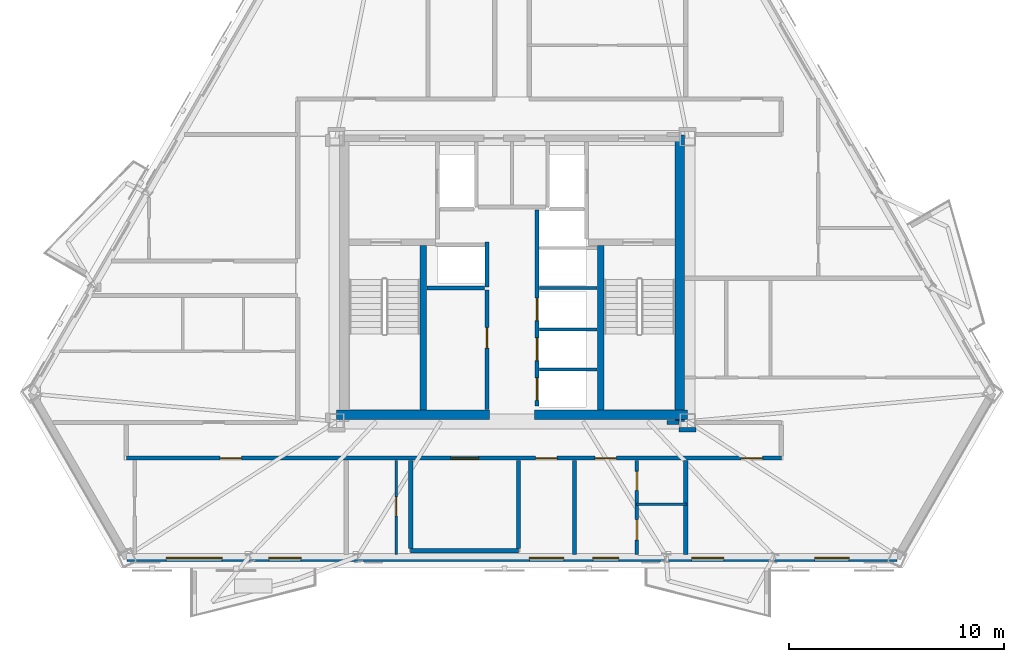
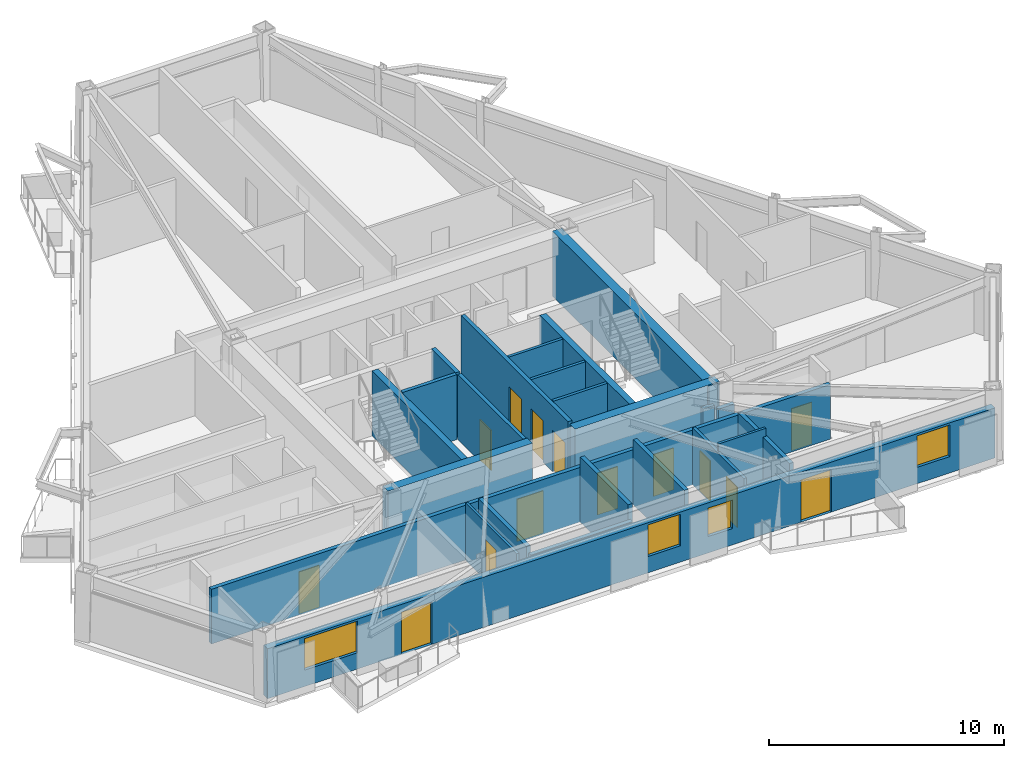
# One storey, part 3 of 9: 24 walls, 14 doors, 4 windows, 18 openings.
"""IFC4 building model written with IfcOpenShell, lengths in metres."""

from ifc_helpers import new_model, si_unit, direction, frame, frame_2d, origin, place, context, subcontext, project, spatial, rectangle, extrude, material, layer, layer_set, type_object, element, fill, save


model = new_model("IFC4")

# Units and contexts
model_context = context("Model", 3, precision=1e-05, world=origin(), true_north=direction((0.0, 1.0)))
body_context = subcontext(model_context, "Body", "Model", "MODEL_VIEW")
ifc_project = project(units=[si_unit("LENGTHUNIT", "METRE"), si_unit("AREAUNIT", "SQUARE_METRE"), si_unit("VOLUMEUNIT", "CUBIC_METRE"), si_unit("PLANEANGLEUNIT", "RADIAN"), si_unit("MASSUNIT", "GRAM", prefix="KILO")], contexts=[model_context])

# Site, building, storey
site_placement = place(None, origin())
site = spatial("IfcSite", under=ifc_project, at=site_placement, CompositionType="ELEMENT")
building_placement = place(site_placement, origin())
building = spatial("IfcBuilding", under=site, at=building_placement, Name="Oramaril Tower", CompositionType="ELEMENT")
storey_placement = place(building_placement, frame((0.0, 0.0, 163.800048828125)))
storey = spatial("IfcBuildingStorey", under=building, at=storey_placement, Name="L43", CompositionType="ELEMENT", Elevation=163.800048828125)

# Wall, openings, doors, windows
ifc_material_1 = material(Name="Warm Cream Limestone", Category="masonry")
ifc_layer_1 = layer(ifc_material_1, 0.340087890625)
ifc_layer_set_1 = layer_set([ifc_layer_1], Name="WT-EXT34")
wall_type_1 = type_object("IfcWallType", Name="WT-EXT34", PredefinedType="SOLIDWALL", material=ifc_layer_set_1)
wall_1_placement = place(storey_placement, frame((19.631103515625, 4.662109375, 0.0), z_axis=(0.0, 0.0, 1.0), x_axis=(1.0, 0.0, 0.0)))
wall_1 = element("IfcWall", 1, at=wall_1_placement, inside=storey, type_object=wall_type_1, Name="L43 Tower Limestone Facade Wall 2M", PredefinedType="SOLIDWALL", context=body_context, shape_type="SweptSolid", body=[
    extrude(rectangle(XDim=35.73779296875, YDim=0.340087890625, at=frame_2d((17.868896484375, 0.0))), origin(), (0.0, 0.0, 1.0), 2.599853515625),
])
opening_1_placement = place(wall_1_placement, frame((6.579345703125, 0.0, 0.0)))
opening_1 = element("IfcOpeningElement", 2, at=opening_1_placement, cuts=wall_1, Name="Opening D-L43-BAL-S1", PredefinedType="OPENING", context=body_context, shape_type="SweptSolid", body=[
    extrude(rectangle(XDim=1.5, YDim=2.199951171875, at=frame_2d((0.75, 1.10009765625))), frame((0.0, 0.169921875, 0.0), z_axis=(0.0, -1.0, 0.0), x_axis=(1.0, 0.0, 0.0)), (0.0, 0.0, 1.0), 0.340087890625),
])
opening_2_placement = place(wall_1_placement, frame((26.20361328125, 0.0, 0.0)))
opening_2 = element("IfcOpeningElement", 3, at=opening_2_placement, cuts=wall_1, Name="Opening D-L43-BAL-S2", PredefinedType="OPENING", context=body_context, shape_type="SweptSolid", body=[
    extrude(rectangle(XDim=1.5, YDim=2.199951171875, at=frame_2d((0.75, 1.10009765625))), frame((0.0, 0.169921875, 0.0), z_axis=(0.0, -1.0, 0.0), x_axis=(1.0, 0.0, 0.0)), (0.0, 0.0, 1.0), 0.340087890625),
])
opening_3_placement = place(wall_1_placement, frame((1.81787109375, 0.0, 0.85009765625)))
opening_3 = element("IfcOpeningElement", 4, at=opening_3_placement, cuts=wall_1, Name="Opening WN-02", PredefinedType="OPENING", context=body_context, shape_type="SweptSolid", body=[
    extrude(rectangle(XDim=2.60009765625, YDim=1.639892578125, at=frame_2d((1.300048828125, 0.81982421875))), frame((0.0, 0.169921875, 0.0), z_axis=(0.0, -1.0, 0.0), x_axis=(1.0, 0.0, 0.0)), (0.0, 0.0, 1.0), 0.340087890625),
])
opening_4_placement = place(wall_1_placement, frame((18.677978515625, 0.0, 0.85009765625)))
opening_4 = element("IfcOpeningElement", 5, at=opening_4_placement, cuts=wall_1, Name="Opening WN-07", PredefinedType="OPENING", context=body_context, shape_type="SweptSolid", body=[
    extrude(rectangle(XDim=1.60009765625, YDim=1.639892578125, at=frame_2d((0.800048828125, 0.81982421875))), frame((0.0, 0.169921875, 0.0), z_axis=(0.0, -1.0, 0.0), x_axis=(1.0, 0.0, 0.0)), (0.0, 0.0, 1.0), 0.340087890625),
])
opening_5_placement = place(wall_1_placement, frame((31.91015625, 0.0, 0.85009765625)))
opening_5 = element("IfcOpeningElement", 6, at=opening_5_placement, cuts=wall_1, Name="Opening WN-07", PredefinedType="OPENING", context=body_context, shape_type="SweptSolid", body=[
    extrude(rectangle(XDim=1.60009765625, YDim=1.639892578125, at=frame_2d((0.800048828125, 0.81982421875))), frame((0.0, 0.169921875, 0.0), z_axis=(0.0, -1.0, 0.0), x_axis=(1.0, 0.0, 0.0)), (0.0, 0.0, 1.0), 0.340087890625),
])
opening_6_placement = place(wall_1_placement, frame((21.6259765625, 0.0, 0.85009765625)))
opening_6 = element("IfcOpeningElement", 7, at=opening_6_placement, cuts=wall_1, Name="Opening WN-09", PredefinedType="OPENING", context=body_context, shape_type="SweptSolid", body=[
    extrude(rectangle(XDim=1.199951171875, YDim=1.47998046875, at=frame_2d((0.60009765625, 0.739990234375))), frame((0.0, 0.169921875, 0.0), z_axis=(0.0, -1.0, 0.0), x_axis=(1.0, 0.0, 0.0)), (0.0, 0.0, 1.0), 0.340087890625),
])
ifc_material_2 = material(Name="Anodised Aluminium 6063-T6", Category="aluminium")
door_type_1 = type_object("IfcDoorType", Name="DT-BAL", OperationType="NOTDEFINED", PredefinedType="DOOR", material=ifc_material_2)
door_1_placement = place(opening_1_placement, origin())
door_1 = element("IfcDoor", 8, at=door_1_placement, inside=storey, type_object=door_type_1, Name="L43 Balcony Glazed Door L43-BAL-S1", OperationType="SINGLE_SWING_RIGHT", OverallHeight=2.199951171875, OverallWidth=1.5, PredefinedType="DOOR", context=body_context, shape_type="SweptSolid", body=[
    extrude(rectangle(XDim=1.5, YDim=2.199951171875, at=frame_2d((0.75, 1.10009765625))), frame((0.0, 0.02490234375, 0.0), z_axis=(0.0, -1.0, 0.0), x_axis=(1.0, 0.0, 0.0)), (0.0, 0.0, 1.0), 0.050048828125),
])
fill(opening_1, door_1)
door_2_placement = place(opening_2_placement, origin())
door_2 = element("IfcDoor", 9, at=door_2_placement, inside=storey, type_object=door_type_1, Name="L43 Balcony Glazed Door L43-BAL-S2", OperationType="SINGLE_SWING_LEFT", OverallHeight=2.199951171875, OverallWidth=1.5, PredefinedType="DOOR", context=body_context, shape_type="SweptSolid", body=[
    extrude(rectangle(XDim=1.5, YDim=2.199951171875, at=frame_2d((0.75, 1.10009765625))), frame((0.0, 0.02490234375, 0.0), z_axis=(0.0, -1.0, 0.0), x_axis=(1.0, 0.0, 0.0)), (0.0, 0.0, 1.0), 0.050048828125),
])
fill(opening_2, door_2)
ifc_material_3 = material(Name="Coastal Low-E Insulated Glass", Category="glass")
window_type_1 = type_object("IfcWindowType", Name="WNT-02", PartitioningType="SINGLE_PANEL", PredefinedType="WINDOW", material=ifc_material_3)
window_1_placement = place(opening_3_placement, origin())
window_1 = element("IfcWindow", 10, at=window_1_placement, inside=storey, type_object=window_type_1, Name="L43 Chicago Bay Window WN-02", OverallHeight=1.639892578125, OverallWidth=2.60009765625, PartitioningType="SINGLE_PANEL", PredefinedType="WINDOW", context=body_context, shape_type="SweptSolid", body=[
    extrude(rectangle(XDim=2.60009765625, YDim=1.639892578125, at=frame_2d((1.300048828125, 0.81982421875))), frame((0.0, 0.030029296875, 0.0), z_axis=(0.0, -1.0, 0.0), x_axis=(1.0, 0.0, 0.0)), (0.0, 0.0, 1.0), 0.06005859375),
])
fill(opening_3, window_1)
ifc_material_4 = material(Name="Coastal Low-E Insulated Glass", Category="glass")
window_type_2 = type_object("IfcWindowType", Name="WNT-07", PartitioningType="SINGLE_PANEL", PredefinedType="WINDOW", material=ifc_material_4)
window_2_placement = place(opening_4_placement, origin())
window_2 = element("IfcWindow", 11, at=window_2_placement, inside=storey, type_object=window_type_2, Name="L43 Chicago Bay Window WN-07", OverallHeight=1.639892578125, OverallWidth=1.60009765625, PartitioningType="SINGLE_PANEL", PredefinedType="WINDOW", context=body_context, shape_type="SweptSolid", body=[
    extrude(rectangle(XDim=1.60009765625, YDim=1.639892578125, at=frame_2d((0.800048828125, 0.81982421875))), frame((0.0, 0.030029296875, 0.0), z_axis=(0.0, -1.0, 0.0), x_axis=(1.0, 0.0, 0.0)), (0.0, 0.0, 1.0), 0.06005859375),
])
fill(opening_4, window_2)
window_3_placement = place(opening_5_placement, origin())
window_3 = element("IfcWindow", 12, at=window_3_placement, inside=storey, type_object=window_type_2, Name="L43 Chicago Bay Window WN-07", OverallHeight=1.639892578125, OverallWidth=1.60009765625, PartitioningType="SINGLE_PANEL", PredefinedType="WINDOW", context=body_context, shape_type="SweptSolid", body=[
    extrude(rectangle(XDim=1.60009765625, YDim=1.639892578125, at=frame_2d((0.800048828125, 0.81982421875))), frame((0.0, 0.030029296875, 0.0), z_axis=(0.0, -1.0, 0.0), x_axis=(1.0, 0.0, 0.0)), (0.0, 0.0, 1.0), 0.06005859375),
])
fill(opening_5, window_3)
ifc_material_5 = material(Name="Coastal Low-E Insulated Glass", Category="glass")
window_type_3 = type_object("IfcWindowType", Name="WNT-09", PartitioningType="SINGLE_PANEL", PredefinedType="WINDOW", material=ifc_material_5)
window_4_placement = place(opening_6_placement, origin())
window_4 = element("IfcWindow", 13, at=window_4_placement, inside=storey, type_object=window_type_3, Name="L43 Apartment Bedroom Window WN-09", OverallHeight=1.47998046875, OverallWidth=1.199951171875, PartitioningType="SINGLE_PANEL", PredefinedType="WINDOW", context=body_context, shape_type="SweptSolid", body=[
    extrude(rectangle(XDim=1.199951171875, YDim=1.47998046875, at=frame_2d((0.60009765625, 0.739990234375))), frame((0.0, 0.030029296875, 0.0), z_axis=(0.0, -1.0, 0.0), x_axis=(1.0, 0.0, 0.0)), (0.0, 0.0, 1.0), 0.06005859375),
])
fill(opening_6, window_4)

# Wall
ifc_material_6 = material(Name="Acoustic Gypsum Board Partition")
ifc_layer_2 = layer(ifc_material_6, 0.1201171875)
ifc_layer_set_2 = layer_set([ifc_layer_2], Name="WT-PT12")
wall_type_2 = type_object("IfcWallType", Name="WT-PT12", PredefinedType="PARTITIONING", material=ifc_layer_set_2)
wall_2_placement = place(storey_placement, frame((43.28955078125, 7.14990234375, 0.0), z_axis=(0.0, 0.0, 1.0), x_axis=(1.0, 0.0, 0.0)))
element("IfcWall", 14, at=wall_2_placement, inside=storey, type_object=wall_type_2, Name="L43 Interior Partition PT-12", PredefinedType="PARTITIONING", context=body_context, shape_type="SweptSolid", body=[
    extrude(rectangle(XDim=2.320556640625, YDim=0.1201171875, at=frame_2d((1.16015625, 0.0))), origin(), (0.0, 0.0, 1.0), 3.3798828125),
])

# Wall, opening, door
wall_3_placement = place(storey_placement, frame((32.1298828125, 4.8359375, 0.0), z_axis=(0.0, 0.0, 1.0), x_axis=(0.0, 1.0, 0.0)))
wall_3 = element("IfcWall", 15, at=wall_3_placement, inside=storey, type_object=wall_type_2, Name="L43 Interior Partition PT-12", PredefinedType="PARTITIONING", context=body_context, shape_type="SweptSolid", body=[
    extrude(rectangle(XDim=4.360107421875, YDim=0.1201171875, at=frame_2d((2.18017578125, 0.0))), origin(), (0.0, 0.0, 1.0), 2.966064453125),
])
opening_7_placement = place(wall_3_placement, frame((1.780029296875, 0.0, 0.0)))
opening_7 = element("IfcOpeningElement", 16, at=opening_7_placement, cuts=wall_3, Name="Opening D-L43-22", PredefinedType="OPENING", context=body_context, shape_type="SweptSolid", body=[
    extrude(rectangle(XDim=0.8798828125, YDim=2.080078125, at=frame_2d((0.43994140625, 1.0400390625))), frame((0.0, 0.06005859375, 0.0), z_axis=(0.0, -1.0, 0.0), x_axis=(1.0, 0.0, 0.0)), (0.0, 0.0, 1.0), 0.1201171875),
])
ifc_material_7 = material(Name="FSC Brazilian Freijo Hardwood", Category="wood")
door_type_2 = type_object("IfcDoorType", Name="DT-BATH", OperationType="NOTDEFINED", PredefinedType="DOOR", material=ifc_material_7)
door_3_placement = place(opening_7_placement, origin())
door_3 = element("IfcDoor", 17, at=door_3_placement, inside=storey, type_object=door_type_2, Name="L43 Flat L43-U2 Bathroom Door D-L43-22", OperationType="SINGLE_SWING_RIGHT", OverallHeight=2.080078125, OverallWidth=0.8798828125, PredefinedType="DOOR", context=body_context, shape_type="SweptSolid", body=[
    extrude(rectangle(XDim=0.8798828125, YDim=2.080078125, at=frame_2d((0.43994140625, 1.0400390625))), frame((0.0, 0.02490234375, 0.0), z_axis=(0.0, -1.0, 0.0), x_axis=(1.0, 0.0, 0.0)), (0.0, 0.0, 1.0), 0.050048828125),
])
fill(opening_7, door_3)

# Walls
ifc_material_8 = material(Name="Acoustic Gypsum Board Partition")
ifc_layer_3 = layer(ifc_material_8, 0.139892578125)
ifc_layer_set_3 = layer_set([ifc_layer_3], Name="WT-PT14")
wall_type_3 = type_object("IfcWallType", Name="WT-PT14", PredefinedType="PARTITIONING", material=ifc_layer_set_3)
for number, where, z_axis, x_axis, name in (
    (18, (38.780029296875, 13.419921875, 0.0), (0.0, 0.0, 1.0), (1.0, 0.0, 0.0), "L43 East Lift Divider"),
    (19, (38.780029296875, 15.27001953125, 0.0), (0.0, 0.0, 1.0), (1.0, 0.0, 0.0), "L43 East Lift Divider"),
    (20, (38.780029296875, 17.199951171875, 0.0), (0.0, 0.0, 1.0), (1.0, 0.0, 0.0), "L43 East Lift Divider"),
):
    element("IfcWall", number, at=place(storey_placement, frame(where, z_axis=z_axis, x_axis=x_axis)), inside=storey, type_object=wall_type_3, Name=name, PredefinedType="PARTITIONING", context=body_context, shape_type="SweptSolid", body=[
        extrude(rectangle(XDim=2.659912109375, YDim=0.139892578125, at=frame_2d((1.330078125, 0.0))), origin(), (0.0, 0.0, 1.0), 3.3798828125),
    ])

# Wall, openings, doors
wall_4_placement = place(storey_placement, frame((43.2900390625, 4.8359375, 0.0), z_axis=(0.0, 0.0, 1.0), x_axis=(0.0, 1.0, 0.0)))
wall_4 = element("IfcWall", 21, at=wall_4_placement, inside=storey, type_object=wall_type_3, Name="L43 Interior Partition PT-14", PredefinedType="PARTITIONING", context=body_context, shape_type="SweptSolid", body=[
    extrude(rectangle(XDim=4.360107421875, YDim=0.139892578125, at=frame_2d((2.18017578125, 0.0))), origin(), (0.0, 0.0, 1.0), 2.966064453125),
])
opening_8_placement = place(wall_4_placement, frame((0.653564453125, 0.0, 0.0)))
opening_8 = element("IfcOpeningElement", 22, at=opening_8_placement, cuts=wall_4, Name="Opening D-L43-25", PredefinedType="OPENING", context=body_context, shape_type="SweptSolid", body=[
    extrude(rectangle(XDim=0.949951171875, YDim=2.10009765625, at=frame_2d((0.47509765625, 1.050048828125))), frame((0.0, 0.06982421875, 0.0), z_axis=(0.0, -1.0, 0.0), x_axis=(1.0, 0.0, 0.0)), (0.0, 0.0, 1.0), 0.139892578125),
])
opening_9_placement = place(wall_4_placement, frame((2.96240234375, 0.0, 0.0)))
opening_9 = element("IfcOpeningElement", 23, at=opening_9_placement, cuts=wall_4, Name="Opening D-L43-26", PredefinedType="OPENING", context=body_context, shape_type="SweptSolid", body=[
    extrude(rectangle(XDim=0.8798828125, YDim=2.080078125, at=frame_2d((0.43994140625, 1.0400390625))), frame((0.0, 0.06982421875, 0.0), z_axis=(0.0, -1.0, 0.0), x_axis=(1.0, 0.0, 0.0)), (0.0, 0.0, 1.0), 0.139892578125),
])
door_4_placement = place(opening_9_placement, origin())
door_4 = element("IfcDoor", 24, at=door_4_placement, inside=storey, type_object=door_type_2, Name="L43 Flat L43-U3 Bathroom Door D-L43-26", OperationType="SINGLE_SWING_RIGHT", OverallHeight=2.080078125, OverallWidth=0.8798828125, PredefinedType="DOOR", context=body_context, shape_type="SweptSolid", body=[
    extrude(rectangle(XDim=0.8798828125, YDim=2.080078125, at=frame_2d((0.43994140625, 1.0400390625))), frame((0.0, 0.02490234375, 0.0), z_axis=(0.0, -1.0, 0.0), x_axis=(1.0, 0.0, 0.0)), (0.0, 0.0, 1.0), 0.050048828125),
])
fill(opening_9, door_4)
ifc_material_9 = material(Name="FSC Brazilian Freijo Hardwood", Category="wood")
door_type_3 = type_object("IfcDoorType", Name="DT-STDY", OperationType="NOTDEFINED", PredefinedType="DOOR", material=ifc_material_9)
door_5_placement = place(opening_8_placement, origin())
door_5 = element("IfcDoor", 25, at=door_5_placement, inside=storey, type_object=door_type_3, Name="L43 Flat L43-U3 Kitchen Door D-L43-25", OperationType="SINGLE_SWING_LEFT", OverallHeight=2.10009765625, OverallWidth=0.949951171875, PredefinedType="DOOR", context=body_context, shape_type="SweptSolid", body=[
    extrude(rectangle(XDim=0.949951171875, YDim=2.10009765625, at=frame_2d((0.47509765625, 1.050048828125))), frame((0.0, 0.02490234375, 0.0), z_axis=(0.0, -1.0, 0.0), x_axis=(1.0, 0.0, 0.0)), (0.0, 0.0, 1.0), 0.050048828125),
])
fill(opening_8, door_5)

# Wall
ifc_material_10 = material(Name="Autoclaved Cellular Concrete Block", Category="concrete")
ifc_layer_4 = layer(ifc_material_10, 0.179931640625)
ifc_layer_set_4 = layer_set([ifc_layer_4], Name="WT-PT18")
wall_type_4 = type_object("IfcWallType", Name="WT-PT18", PredefinedType="PARTITIONING", material=ifc_layer_set_4)
wall_5_placement = place(storey_placement, frame((33.56005859375, 17.199951171875, 0.0), z_axis=(0.0, 0.0, 1.0), x_axis=(1.0, 0.0, 0.0)))
element("IfcWall", 26, at=wall_5_placement, inside=storey, type_object=wall_type_4, Name="L43 High-Rise Lift H1 South Wall", PredefinedType="PARTITIONING", context=body_context, shape_type="SweptSolid", body=[
    extrude(rectangle(XDim=2.659912109375, YDim=0.179931640625, at=frame_2d((1.330078125, 0.0))), origin(), (0.0, 0.0, 1.0), 3.3798828125),
])

# Wall, opening, door
wall_6_placement = place(storey_placement, frame((36.340087890625, 11.550048828125, 0.0), z_axis=(0.0, 0.0, 1.0), x_axis=(0.0, 1.0, 0.0)))
wall_6 = element("IfcWall", 27, at=wall_6_placement, inside=storey, type_object=wall_type_4, Name="L43 Freed Shaft Study East Wall", PredefinedType="PARTITIONING", context=body_context, shape_type="SweptSolid", body=[
    extrude(rectangle(XDim=5.550048828125, YDim=0.179931640625, at=frame_2d((2.77490234375, 0.0))), origin(), (0.0, 0.0, 1.0), 3.3798828125),
])
opening_10_placement = place(wall_6_placement, frame((2.85009765625, 0.0, 0.0)))
opening_10 = element("IfcOpeningElement", 28, at=opening_10_placement, cuts=wall_6, Name="Opening D-L43-FL1", PredefinedType="OPENING", context=body_context, shape_type="SweptSolid", body=[
    extrude(rectangle(XDim=0.949951171875, YDim=2.10009765625, at=frame_2d((0.47509765625, 1.050048828125))), frame((0.0, 0.08984375, 0.0), z_axis=(0.0, -1.0, 0.0), x_axis=(1.0, 0.0, 0.0)), (0.0, 0.0, 1.0), 0.179931640625),
])
door_6_placement = place(opening_10_placement, origin())
door_6 = element("IfcDoor", 29, at=door_6_placement, inside=storey, type_object=door_type_3, Name="L43 L43 Residents Study Alcove Door", OperationType="SINGLE_SWING_LEFT", OverallHeight=2.10009765625, OverallWidth=0.949951171875, PredefinedType="DOOR", context=body_context, shape_type="SweptSolid", body=[
    extrude(rectangle(XDim=0.949951171875, YDim=2.10009765625, at=frame_2d((0.47509765625, 1.050048828125))), frame((0.0, 0.02490234375, 0.0), z_axis=(0.0, -1.0, 0.0), x_axis=(1.0, 0.0, 0.0)), (0.0, 0.0, 1.0), 0.050048828125),
])
fill(opening_10, door_6)

# Wall
ifc_material_11 = material(Name="Autoclaved Cellular Concrete Block", Category="concrete")
ifc_layer_5 = layer(ifc_material_11, 0.199951171875)
ifc_layer_set_5 = layer_set([ifc_layer_5], Name="WT-PT20")
wall_type_5 = type_object("IfcWallType", Name="WT-PT20", PredefinedType="PARTITIONING", material=ifc_layer_set_5)
wall_7_placement = place(storey_placement, frame((32.800048828125, 5.0, 0.0), z_axis=(0.0, 0.0, 1.0), x_axis=(1.0, 0.0, 0.0)))
element("IfcWall", 30, at=wall_7_placement, inside=storey, type_object=wall_type_5, Name="L43 Interior Partition PT-20", PredefinedType="PARTITIONING", context=body_context, shape_type="SweptSolid", body=[
    extrude(rectangle(XDim=5.0, YDim=0.199951171875, at=frame_2d((2.5, 0.0))), origin(), (0.0, 0.0, 1.0), 2.599853515625),
])

# Wall, openings, doors
wall_8_placement = place(storey_placement, frame((19.60009765625, 9.300048828125, 0.0), z_axis=(0.0, 0.0, 1.0), x_axis=(1.0, 0.0, 0.0)))
wall_8 = element("IfcWall", 31, at=wall_8_placement, inside=storey, type_object=wall_type_5, Name="L43 Interior Partition PT-20", PredefinedType="PARTITIONING", context=body_context, shape_type="SweptSolid", body=[
    extrude(rectangle(XDim=30.39990234375, YDim=0.199951171875, at=frame_2d((15.199951171875, 0.0))), origin(), (0.0, 0.0, 1.0), 2.842041015625),
])
opening_11_placement = place(wall_8_placement, frame((4.34912109375, 0.0, 0.0)))
opening_11 = element("IfcOpeningElement", 32, at=opening_11_placement, cuts=wall_8, Name="Opening D-L43-01", PredefinedType="OPENING", context=body_context, shape_type="SweptSolid", body=[
    extrude(rectangle(XDim=1.0, YDim=2.179931640625, at=frame_2d((0.5, 1.08984375))), frame((0.0, 0.10009765625, 0.0), z_axis=(0.0, -1.0, 0.0), x_axis=(1.0, 0.0, 0.0)), (0.0, 0.0, 1.0), 0.199951171875),
])
opening_12_placement = place(wall_8_placement, frame((15.050048828125, 0.0, 0.0)))
opening_12 = element("IfcOpeningElement", 33, at=opening_12_placement, cuts=wall_8, Name="Opening D-L43-02", PredefinedType="OPENING", context=body_context, shape_type="SweptSolid", body=[
    extrude(rectangle(XDim=1.300048828125, YDim=2.199951171875, at=frame_2d((0.64990234375, 1.10009765625))), frame((0.0, 0.10009765625, 0.0), z_axis=(0.0, -1.0, 0.0), x_axis=(1.0, 0.0, 0.0)), (0.0, 0.0, 1.0), 0.199951171875),
])
opening_13_placement = place(wall_8_placement, frame((19.0, 0.0, 0.0)))
opening_13 = element("IfcOpeningElement", 34, at=opening_13_placement, cuts=wall_8, Name="Opening D-L43-03", PredefinedType="OPENING", context=body_context, shape_type="SweptSolid", body=[
    extrude(rectangle(XDim=1.0, YDim=2.179931640625, at=frame_2d((0.5, 1.08984375))), frame((0.0, 0.10009765625, 0.0), z_axis=(0.0, -1.0, 0.0), x_axis=(1.0, 0.0, 0.0)), (0.0, 0.0, 1.0), 0.199951171875),
])
opening_14_placement = place(wall_8_placement, frame((21.744873046875, 0.0, 0.0)))
opening_14 = element("IfcOpeningElement", 35, at=opening_14_placement, cuts=wall_8, Name="Opening D-L43-04", PredefinedType="OPENING", context=body_context, shape_type="SweptSolid", body=[
    extrude(rectangle(XDim=1.0, YDim=2.179931640625, at=frame_2d((0.5, 1.08984375))), frame((0.0, 0.10009765625, 0.0), z_axis=(0.0, -1.0, 0.0), x_axis=(1.0, 0.0, 0.0)), (0.0, 0.0, 1.0), 0.199951171875),
])
opening_15_placement = place(wall_8_placement, frame((28.5322265625, 0.0, 0.0)))
opening_15 = element("IfcOpeningElement", 36, at=opening_15_placement, cuts=wall_8, Name="Opening D-L43-05", PredefinedType="OPENING", context=body_context, shape_type="SweptSolid", body=[
    extrude(rectangle(XDim=1.0, YDim=2.179931640625, at=frame_2d((0.5, 1.08984375))), frame((0.0, 0.10009765625, 0.0), z_axis=(0.0, -1.0, 0.0), x_axis=(1.0, 0.0, 0.0)), (0.0, 0.0, 1.0), 0.199951171875),
])
ifc_material_12 = material(Name="FSC Brazilian Freijo Hardwood", Category="wood")
door_type_4 = type_object("IfcDoorType", Name="DT-APT", OperationType="NOTDEFINED", PredefinedType="DOOR", material=ifc_material_12)
door_7_placement = place(opening_11_placement, origin())
door_7 = element("IfcDoor", 37, at=door_7_placement, inside=storey, type_object=door_type_4, Name="L43 Flat L43-U1 Kitchen and Studio Apartment Door D-L43-01", OperationType="SINGLE_SWING_LEFT", OverallHeight=2.179931640625, OverallWidth=1.0, PredefinedType="DOOR", context=body_context, shape_type="SweptSolid", body=[
    extrude(rectangle(XDim=1.0, YDim=2.179931640625, at=frame_2d((0.5, 1.08984375))), frame((0.0, 0.02490234375, 0.0), z_axis=(0.0, -1.0, 0.0), x_axis=(1.0, 0.0, 0.0)), (0.0, 0.0, 1.0), 0.050048828125),
])
fill(opening_11, door_7)
door_8_placement = place(opening_13_placement, origin())
door_8 = element("IfcDoor", 38, at=door_8_placement, inside=storey, type_object=door_type_4, Name="L43 Flat L43-U2 Kitchen and Studio Apartment Door D-L43-03", OperationType="SINGLE_SWING_LEFT", OverallHeight=2.179931640625, OverallWidth=1.0, PredefinedType="DOOR", context=body_context, shape_type="SweptSolid", body=[
    extrude(rectangle(XDim=1.0, YDim=2.179931640625, at=frame_2d((0.5, 1.08984375))), frame((0.0, 0.02490234375, 0.0), z_axis=(0.0, -1.0, 0.0), x_axis=(1.0, 0.0, 0.0)), (0.0, 0.0, 1.0), 0.050048828125),
])
fill(opening_13, door_8)
door_9_placement = place(opening_14_placement, origin())
door_9 = element("IfcDoor", 39, at=door_9_placement, inside=storey, type_object=door_type_4, Name="L43 Flat L43-U3 Studio Apartment Door D-L43-04", OperationType="SINGLE_SWING_RIGHT", OverallHeight=2.179931640625, OverallWidth=1.0, PredefinedType="DOOR", context=body_context, shape_type="SweptSolid", body=[
    extrude(rectangle(XDim=1.0, YDim=2.179931640625, at=frame_2d((0.5, 1.08984375))), frame((0.0, 0.02490234375, 0.0), z_axis=(0.0, -1.0, 0.0), x_axis=(1.0, 0.0, 0.0)), (0.0, 0.0, 1.0), 0.050048828125),
])
fill(opening_14, door_9)
door_10_placement = place(opening_15_placement, origin())
door_10 = element("IfcDoor", 40, at=door_10_placement, inside=storey, type_object=door_type_4, Name="L43 Flat L43-U6 Penthouse Living and Dining Room Door D-L43-05", OperationType="SINGLE_SWING_LEFT", OverallHeight=2.179931640625, OverallWidth=1.0, PredefinedType="DOOR", context=body_context, shape_type="SweptSolid", body=[
    extrude(rectangle(XDim=1.0, YDim=2.179931640625, at=frame_2d((0.5, 1.08984375))), frame((0.0, 0.02490234375, 0.0), z_axis=(0.0, -1.0, 0.0), x_axis=(1.0, 0.0, 0.0)), (0.0, 0.0, 1.0), 0.050048828125),
])
fill(opening_15, door_10)
ifc_material_13 = material(Name="FSC Brazilian Freijo Hardwood", Category="wood")
door_type_5 = type_object("IfcDoorType", Name="DT-COM", OperationType="NOTDEFINED", PredefinedType="DOOR", material=ifc_material_13)
door_11_placement = place(opening_12_placement, origin())
door_11 = element("IfcDoor", 41, at=door_11_placement, inside=storey, type_object=door_type_5, Name="L43 L43 Floor Co-Working Office Suite Door D-L43-02", OperationType="SINGLE_SWING_RIGHT", OverallHeight=2.199951171875, OverallWidth=1.300048828125, PredefinedType="DOOR", context=body_context, shape_type="SweptSolid", body=[
    extrude(rectangle(XDim=1.300048828125, YDim=2.199951171875, at=frame_2d((0.64990234375, 1.10009765625))), frame((0.0, 0.02490234375, 0.0), z_axis=(0.0, -1.0, 0.0), x_axis=(1.0, 0.0, 0.0)), (0.0, 0.0, 1.0), 0.050048828125),
])
fill(opening_12, door_11)

# Walls
wall_9_placement = place(storey_placement, frame((45.260009765625, 10.610107421875, 0.0), z_axis=(0.0, 0.0, 1.0), x_axis=(1.0, 0.0, 0.0)))
element("IfcWall", 42, at=wall_9_placement, inside=storey, type_object=wall_type_5, Name="L43 Interior Partition PT-20", PredefinedType="PARTITIONING", context=body_context, shape_type="SweptSolid", body=[
    extrude(rectangle(XDim=0.780029296875, YDim=0.199951171875, at=frame_2d((0.39013671875, 0.0))), origin(), (0.0, 0.0, 1.0), 2.419921875),
])
wall_10_placement = place(storey_placement, frame((44.695068359375, 10.949951171875, 0.0), z_axis=(0.0, 0.0, 1.0), x_axis=(1.0, 0.0, 0.0)))
element("IfcWall", 43, at=wall_10_placement, inside=storey, type_object=wall_type_5, Name="L43 Interior Partition PT-20", PredefinedType="PARTITIONING", context=body_context, shape_type="SweptSolid", body=[
    extrude(rectangle(XDim=0.56494140625, YDim=0.199951171875, at=frame_2d((0.282470703125, 0.0))), origin(), (0.0, 0.0, 1.0), 2.419921875),
])
wall_11_placement = place(storey_placement, frame((32.800048828125, 5.10400390625, 0.0), z_axis=(0.0, 0.0, 1.0), x_axis=(0.0, 1.0, 0.0)))
element("IfcWall", 44, at=wall_11_placement, inside=storey, type_object=wall_type_5, Name="L43 Interior Partition PT-20", PredefinedType="PARTITIONING", context=body_context, shape_type="SweptSolid", body=[
    extrude(rectangle(XDim=4.092041015625, YDim=0.199951171875, at=frame_2d((2.0458984375, 0.0))), origin(), (0.0, 0.0, 1.0), 2.966064453125),
])
wall_12_placement = place(storey_placement, frame((37.800048828125, 5.10400390625, 0.0), z_axis=(0.0, 0.0, 1.0), x_axis=(0.0, 1.0, 0.0)))
element("IfcWall", 45, at=wall_12_placement, inside=storey, type_object=wall_type_5, Name="L43 Interior Partition PT-20", PredefinedType="PARTITIONING", context=body_context, shape_type="SweptSolid", body=[
    extrude(rectangle(XDim=4.092041015625, YDim=0.199951171875, at=frame_2d((2.0458984375, 0.0))), origin(), (0.0, 0.0, 1.0), 3.3798828125),
])
wall_13_placement = place(storey_placement, frame((40.39990234375, 4.8359375, 0.0), z_axis=(0.0, 0.0, 1.0), x_axis=(0.0, 1.0, 0.0)))
element("IfcWall", 46, at=wall_13_placement, inside=storey, type_object=wall_type_5, Name="L43 Interior Partition PT-20", PredefinedType="PARTITIONING", context=body_context, shape_type="SweptSolid", body=[
    extrude(rectangle(XDim=4.360107421875, YDim=0.199951171875, at=frame_2d((2.18017578125, 0.0))), origin(), (0.0, 0.0, 1.0), 3.3798828125),
])
wall_14_placement = place(storey_placement, frame((45.56005859375, 4.8359375, 0.0), z_axis=(0.0, 0.0, 1.0), x_axis=(0.0, 1.0, 0.0)))
element("IfcWall", 47, at=wall_14_placement, inside=storey, type_object=wall_type_5, Name="L43 Interior Partition PT-20", PredefinedType="PARTITIONING", context=body_context, shape_type="SweptSolid", body=[
    extrude(rectangle(XDim=4.360107421875, YDim=0.199951171875, at=frame_2d((2.18017578125, 0.0))), origin(), (0.0, 0.0, 1.0), 2.966064453125),
])
ifc_material_14 = material(Name="Concrete C50/60", Category="concrete")
ifc_layer_6 = layer(ifc_material_14, 0.300048828125)
ifc_layer_set_6 = layer_set([ifc_layer_6], Name="WT-SH30")
wall_type_6 = type_object("IfcWallType", Name="WT-SH30", PredefinedType="SHEAR", material=ifc_layer_set_6)
for number, where, z_axis, x_axis, name in (
    (48, (33.3798828125, 11.5400390625, 0.0), (0.0, 0.0, 1.0), (0.0, 1.0, 0.0), "L43 Core Shear Wall CW-ST1E"),
    (49, (41.6201171875, 11.5400390625, 0.0), (0.0, 0.0, 1.0), (0.0, 1.0, 0.0), "L43 Core Shear Wall CW-ST2W"),
):
    element("IfcWall", number, at=place(storey_placement, frame(where, z_axis=z_axis, x_axis=x_axis)), inside=storey, type_object=wall_type_6, Name=name, PredefinedType="SHEAR", context=body_context, shape_type="SweptSolid", body=[
        extrude(rectangle(XDim=7.619873046875, YDim=0.300048828125, at=frame_2d((3.81005859375, 0.0))), origin(), (0.0, 0.0, 1.0), 3.3798828125),
    ])
ifc_material_15 = material(Name="Concrete C50/60", Category="concrete")
ifc_layer_7 = layer(ifc_material_15, 0.449951171875)
ifc_layer_set_7 = layer_set([ifc_layer_7], Name="WT-SH45")
wall_type_7 = type_object("IfcWallType", Name="WT-SH45", PredefinedType="SHEAR", material=ifc_layer_set_7)
wall_15_placement = place(storey_placement, frame((45.284912109375, 11.0, 0.0), z_axis=(0.0, 0.0, 1.0), x_axis=(0.0, 1.0, 0.0)))
element("IfcWall", 50, at=wall_15_placement, inside=storey, type_object=wall_type_7, Name="L43 Core Shear Wall CW-E", PredefinedType="SHEAR", context=body_context, shape_type="SweptSolid", body=[
    extrude(rectangle(XDim=13.300048828125, YDim=0.449951171875, at=frame_2d((6.64990234375, 0.0))), origin(), (0.0, 0.0, 1.0), 3.3798828125),
])
for number, where, z_axis, x_axis, name in (
    (51, (29.35009765625, 11.31494140625, 0.0), (0.0, 0.0, 1.0), (1.0, 0.0, 0.0), "L43 Core Shear Wall CW-SW"),
    (52, (38.550048828125, 11.31494140625, 0.0), (0.0, 0.0, 1.0), (1.0, 0.0, 0.0), "L43 Core Shear Wall CW-SE"),
):
    element("IfcWall", number, at=place(storey_placement, frame(where, z_axis=z_axis, x_axis=x_axis)), inside=storey, type_object=wall_type_7, Name=name, PredefinedType="SHEAR", context=body_context, shape_type="SweptSolid", body=[
        extrude(rectangle(XDim=7.099853515625, YDim=0.449951171875, at=frame_2d((3.5498046875, 0.0))), origin(), (0.0, 0.0, 1.0), 3.3798828125),
    ])
ifc_material_16 = material(Name="Autoclaved Cellular Concrete Block", Category="concrete")
ifc_layer_8 = layer(ifc_material_16, 0.199951171875)
ifc_layer_set_8 = layer_set([ifc_layer_8], Name="WT-SHF20")
wall_type_8 = type_object("IfcWallType", Name="WT-SHF20", PredefinedType="PARTITIONING", material=ifc_layer_set_8)
wall_16_placement = place(storey_placement, frame((36.340087890625, 17.25, 0.0), z_axis=(0.0, 0.0, 1.0), x_axis=(0.0, 1.0, 0.0)))
element("IfcWall", 53, at=wall_16_placement, inside=storey, type_object=wall_type_8, Name="L43 High-Rise Lift H1 Front Wall", PredefinedType="PARTITIONING", context=body_context, shape_type="SweptSolid", body=[
    extrude(rectangle(XDim=2.070068359375, YDim=0.199951171875, at=frame_2d((1.03515625, 0.0))), origin(), (0.0, 0.0, 1.0), 3.3798828125),
])

# Wall, openings, doors
wall_17_placement = place(storey_placement, frame((38.659912109375, 11.719970703125, 0.0), z_axis=(0.0, 0.0, 1.0), x_axis=(0.0, 1.0, 0.0)))
wall_17 = element("IfcWall", 54, at=wall_17_placement, inside=storey, type_object=wall_type_8, Name="L43 East Lift Bank Front Wall", PredefinedType="PARTITIONING", context=body_context, shape_type="SweptSolid", body=[
    extrude(rectangle(XDim=9.10009765625, YDim=0.199951171875, at=frame_2d((4.550048828125, 0.0))), origin(), (0.0, 0.0, 1.0), 3.3798828125),
])
opening_16_placement = place(wall_17_placement, frame((0.2548828125, 0.0, 0.0)))
opening_16 = element("IfcOpeningElement", 55, at=opening_16_placement, cuts=wall_17, Name="Opening LD-L43-LP-M1", PredefinedType="OPENING", context=body_context, shape_type="SweptSolid", body=[
    extrude(rectangle(XDim=1.050048828125, YDim=2.14990234375, at=frame_2d((0.52490234375, 1.074951171875))), frame((0.0, 0.10009765625, 0.0), z_axis=(0.0, -1.0, 0.0), x_axis=(1.0, 0.0, 0.0)), (0.0, 0.0, 1.0), 0.199951171875),
])
opening_17_placement = place(wall_17_placement, frame((2.10498046875, 0.0, 0.0)))
opening_17 = element("IfcOpeningElement", 56, at=opening_17_placement, cuts=wall_17, Name="Opening LD-L43-LP-M2", PredefinedType="OPENING", context=body_context, shape_type="SweptSolid", body=[
    extrude(rectangle(XDim=1.050048828125, YDim=2.14990234375, at=frame_2d((0.52490234375, 1.074951171875))), frame((0.0, 0.10009765625, 0.0), z_axis=(0.0, -1.0, 0.0), x_axis=(1.0, 0.0, 0.0)), (0.0, 0.0, 1.0), 0.199951171875),
])
opening_18_placement = place(wall_17_placement, frame((3.955078125, 0.0, 0.0)))
opening_18 = element("IfcOpeningElement", 57, at=opening_18_placement, cuts=wall_17, Name="Opening LD-L43-LP-M3", PredefinedType="OPENING", context=body_context, shape_type="SweptSolid", body=[
    extrude(rectangle(XDim=1.050048828125, YDim=2.14990234375, at=frame_2d((0.52490234375, 1.074951171875))), frame((0.0, 0.10009765625, 0.0), z_axis=(0.0, -1.0, 0.0), x_axis=(1.0, 0.0, 0.0)), (0.0, 0.0, 1.0), 0.199951171875),
])
ifc_material_17 = material(Name="Stainless Steel 316L", Category="steel")
door_type_6 = type_object("IfcDoorType", Name="DT-LD2", OperationType="NOTDEFINED", PredefinedType="DOOR", material=ifc_material_17)
door_12_placement = place(opening_16_placement, origin())
door_12 = element("IfcDoor", 58, at=door_12_placement, inside=storey, type_object=door_type_6, Name="L43 Lift LP-M1 Sliding Landing Door", OperationType="SLIDING_TO_RIGHT", OverallHeight=2.14990234375, OverallWidth=1.050048828125, PredefinedType="DOOR", context=body_context, shape_type="SweptSolid", body=[
    extrude(rectangle(XDim=1.050048828125, YDim=2.14990234375, at=frame_2d((0.52490234375, 1.074951171875))), frame((0.0, 0.02490234375, 0.0), z_axis=(0.0, -1.0, 0.0), x_axis=(1.0, 0.0, 0.0)), (0.0, 0.0, 1.0), 0.050048828125),
])
fill(opening_16, door_12)
door_13_placement = place(opening_17_placement, origin())
door_13 = element("IfcDoor", 59, at=door_13_placement, inside=storey, type_object=door_type_6, Name="L43 Lift LP-M2 Sliding Landing Door", OperationType="SLIDING_TO_LEFT", OverallHeight=2.14990234375, OverallWidth=1.050048828125, PredefinedType="DOOR", context=body_context, shape_type="SweptSolid", body=[
    extrude(rectangle(XDim=1.050048828125, YDim=2.14990234375, at=frame_2d((0.52490234375, 1.074951171875))), frame((0.0, 0.02490234375, 0.0), z_axis=(0.0, -1.0, 0.0), x_axis=(1.0, 0.0, 0.0)), (0.0, 0.0, 1.0), 0.050048828125),
])
fill(opening_17, door_13)
door_14_placement = place(opening_18_placement, origin())
door_14 = element("IfcDoor", 60, at=door_14_placement, inside=storey, type_object=door_type_6, Name="L43 Lift LP-M3 Sliding Landing Door", OperationType="SLIDING_TO_RIGHT", OverallHeight=2.14990234375, OverallWidth=1.050048828125, PredefinedType="DOOR", context=body_context, shape_type="SweptSolid", body=[
    extrude(rectangle(XDim=1.050048828125, YDim=2.14990234375, at=frame_2d((0.52490234375, 1.074951171875))), frame((0.0, 0.02490234375, 0.0), z_axis=(0.0, -1.0, 0.0), x_axis=(1.0, 0.0, 0.0)), (0.0, 0.0, 1.0), 0.050048828125),
])
fill(opening_18, door_14)

save(model, "model.ifc")
